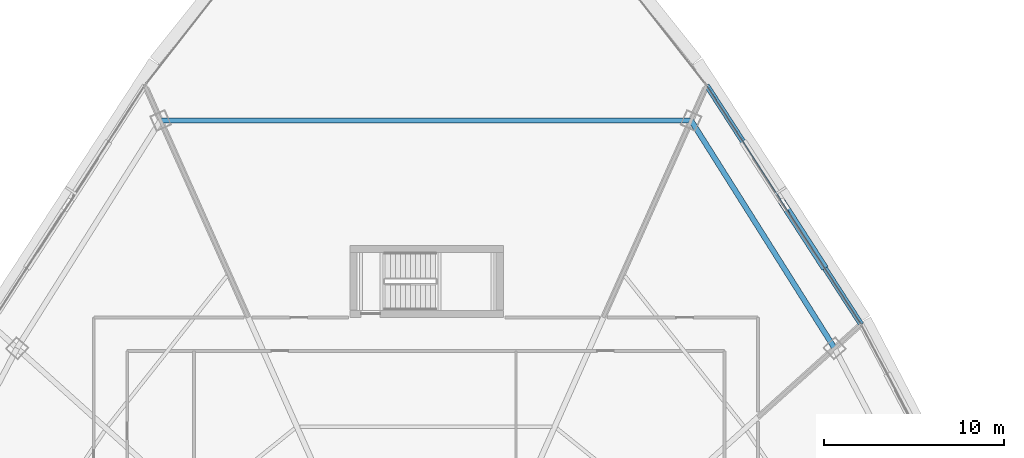
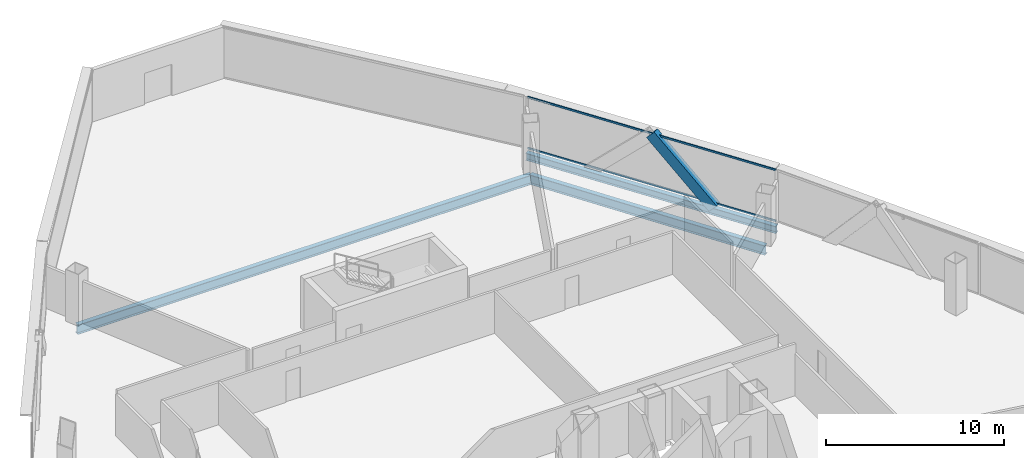
# One storey, part 21 of 37: 3 beams, 3 members, 1 element without a shape of its own.
"""IFC4 building model written with IfcOpenShell, lengths in metres."""

from ifc_helpers import new_model, si_unit, direction, frame, origin, origin_2d, place, context, subcontext, project, spatial, hollow_rectangle, i_section, extrude, source, transform, mapped, material, layer, layer_set, material_profile, profile_set, type_object, element, aggregate, save


model = new_model("IFC4")

# Units and contexts
model_context = context("Model", 3, precision=1e-05, world=origin(), true_north=direction((0.0, 1.0)))
body_context = subcontext(model_context, "Body", "Model", "MODEL_VIEW")
ifc_project = project(units=[si_unit("LENGTHUNIT", "METRE"), si_unit("AREAUNIT", "SQUARE_METRE"), si_unit("VOLUMEUNIT", "CUBIC_METRE"), si_unit("PLANEANGLEUNIT", "RADIAN"), si_unit("MASSUNIT", "GRAM", prefix="KILO"), si_unit("THERMODYNAMICTEMPERATUREUNIT", "KELVIN"), si_unit("POWERUNIT", "WATT")], contexts=[model_context])

# Site, building, storey
site_placement = place(None, origin())
site = spatial("IfcSite", under=ifc_project, at=site_placement, CompositionType="ELEMENT")
building_placement = place(site_placement, origin())
building = spatial("IfcBuilding", under=site, at=building_placement, Name="Yunzhuo Pagoda Commons", CompositionType="ELEMENT")
storey_placement = place(building_placement, frame((0.0, 0.0, 196.159912109375)))
storey = spatial("IfcBuildingStorey", under=building, at=storey_placement, Name="L49", CompositionType="ELEMENT", Elevation=196.159912109375)

# Beams
ifc_material_1 = material(Name="Structural steel Q355B", Category="steel")
ifc_material_profile_1 = material_profile(ifc_material_1, i_section(OverallWidth=0.300048828125, OverallDepth=0.64990234375, WebThickness=0.012939453125, FlangeThickness=0.02197265625, at=origin_2d()), Name="Structural steel Q355B")
ifc_profile_set_1 = profile_set([ifc_material_profile_1], Name="Structural steel Q355B")
beam_type_1 = type_object("IfcBeamType", Name="B-RG2 Beam HN 650x300x13x22", PredefinedType="BEAM", material=ifc_profile_set_1)
shared_shape_1 = source(origin(), body_context, "Body", "SweptSolid", [
    extrude(i_section(OverallWidth=0.300048828125, OverallDepth=0.64990234375, WebThickness=0.012939453125, FlangeThickness=0.02197265625, at=origin_2d()), origin(), (0.0, 0.0, 1.0), 14.916015625),
])
beam_1_placement = place(storey_placement, frame((70.650634765625, 54.0947265625, -0.5849609375), z_axis=(-0.533092374013, 0.846057043449, 0.0), x_axis=(-0.846057043449, -0.533092374013, 0.0)))
element("IfcBeam", 1, at=beam_1_placement, inside=storey, type_object=beam_type_1, Name="L49 column-ring beam 7", PredefinedType="BEAM", context=body_context, shape_type="MappedRepresentation", body=[
    mapped(shared_shape_1, transform((0.0, 0.0, 0.0), scale=1.0)),
])
shared_shape_2 = source(origin(), body_context, "Body", "SweptSolid", [
    extrude(i_section(OverallWidth=0.300048828125, OverallDepth=0.64990234375, WebThickness=0.012939453125, FlangeThickness=0.02197265625, at=origin_2d()), origin(), (0.0, 0.0, 1.0), 29.39794921875),
])
beam_2_placement = place(storey_placement, frame((62.698974609375, 66.714599609375, -0.5849609375), z_axis=(-1.0, 0.0, 0.0), x_axis=(0.0, -1.0, 0.0)))
element("IfcBeam", 2, at=beam_2_placement, inside=storey, type_object=beam_type_1, Name="L49 column-ring beam 8", PredefinedType="BEAM", context=body_context, shape_type="MappedRepresentation", body=[
    mapped(shared_shape_2, transform((0.0, 0.0, 0.0), scale=1.0)),
])
ifc_material_profile_2 = material_profile(ifc_material_1, i_section(OverallWidth=0.300048828125, OverallDepth=0.488037109375, WebThickness=0.010986328125, FlangeThickness=0.01806640625, at=origin_2d()), Name="Structural steel Q355B")
ifc_profile_set_2 = profile_set([ifc_material_profile_2], Name="Structural steel Q355B")
beam_type_2 = type_object("IfcBeamType", Name="B-SP1 Beam HM 488x300x11x18", PredefinedType="BEAM", material=ifc_profile_set_2)
shared_shape_3 = source(origin(), body_context, "Body", "SweptSolid", [
    extrude(i_section(OverallWidth=0.300048828125, OverallDepth=0.488037109375, WebThickness=0.010986328125, FlangeThickness=0.01806640625, at=origin_2d()), origin(), (0.0, 0.0, 1.0), 15.764892578125),
])
beam_3_placement = place(storey_placement, frame((72.124267578125, 55.421630859375, -0.50390625), z_axis=(-0.54290513086, 0.83979403361, 0.0), x_axis=(-0.83979403361, -0.54290513086, 0.0)))
element("IfcBeam", 3, at=beam_3_placement, inside=storey, type_object=beam_type_2, Name="L49 facade edge spandrel beam F2.3", PredefinedType="BEAM", context=body_context, shape_type="MappedRepresentation", body=[
    mapped(shared_shape_3, transform((0.0, 0.0, 0.0), scale=1.0)),
])

# Member
ifc_material_profile_3 = material_profile(ifc_material_1, hollow_rectangle(XDim=0.39990234375, YDim=0.719970703125, WallThickness=0.02392578125, at=origin_2d()), Name="Structural steel Q355B")
ifc_profile_set_3 = profile_set([ifc_material_profile_3], Name="Structural steel Q355B")
member_type_1 = type_object("IfcMemberType", Name="M-DL2 Brace BOX 720x400x24", PredefinedType="BRACE", material=ifc_profile_set_3)
shared_shape_4 = source(origin(), body_context, "Body", "SweptSolid", [
    extrude(hollow_rectangle(XDim=0.39990234375, YDim=0.719970703125, WallThickness=0.02392578125, at=origin_2d()), origin(), (0.0, 0.0, 1.0), 5.474853515625),
])
member_1_placement = place(storey_placement, frame((69.984619140625, 58.7314453125, -0.260009765625), z_axis=(-0.390818275062, 0.604555380535, 0.694099321239), x_axis=(-0.839801094268, -0.542894208908, 0.0)))
element("IfcMember", 4, at=member_1_placement, inside=storey, type_object=member_type_1, Name="L49 facade diamond brace F2.3L", PredefinedType="BRACE", context=body_context, shape_type="MappedRepresentation", body=[
    mapped(shared_shape_4, transform((0.0, 0.0, 0.0), scale=1.0)),
])

# Curtain wall, members
ifc_material_2 = material(Name="Anodized aluminium 6063-T6", Category="aluminium")
ifc_layer = layer(ifc_material_2, 0.14990234375)
ifc_layer_set = layer_set([ifc_layer], Name="Anodized aluminium 6063-T6")
curtain_wall_type = type_object("IfcCurtainWallType", Name="CW-MID Mid-Zone Ribbon Curtain Wall", PredefinedType="NOTDEFINED", material=ifc_layer_set)
curtain_wall_placement = place(storey_placement, origin())
curtain_wall = element("IfcCurtainWall", 5, at=curtain_wall_placement, inside=storey, type_object=curtain_wall_type, Name="L49 curtain wall CW-L49-F2B4", PredefinedType="NOTDEFINED")
ifc_material_profile_4 = material_profile(ifc_material_2, hollow_rectangle(XDim=0.054931640625, YDim=0.1298828125, WallThickness=0.00341796875, at=origin_2d()), Name="Anodized aluminium 6063-T6")
ifc_profile_set_4 = profile_set([ifc_material_profile_4], Name="Anodized aluminium 6063-T6")
member_type_2 = type_object("IfcMemberType", Name="CW-MID-T Transom RHS 130x55x3.5", PredefinedType="USERDEFINED", material=ifc_profile_set_4)
shared_shape_5 = source(origin(), body_context, "Body", "SweptSolid", [
    extrude(hollow_rectangle(XDim=0.054931640625, YDim=0.1298828125, WallThickness=0.00341796875, at=origin_2d()), origin(), (0.0, 0.0, 1.0), 15.644775390625),
])
member_2_placement = place(storey_placement, frame((72.091796875, 55.471923828125, 0.027587890625), z_axis=(-0.542894057097, 0.839801192407, 0.0), x_axis=(-0.839801192407, -0.542894057097, 0.0)))
member_2 = element("IfcMember", 6, at=member_2_placement, type_object=member_type_2, Name="CW transom 1.1", ObjectType="TRANSOM", PredefinedType="USERDEFINED", context=body_context, shape_type="MappedRepresentation", body=[
    mapped(shared_shape_5, transform((0.0, 0.0, 0.0), scale=1.0)),
])
member_3_placement = place(storey_placement, frame((72.091796875, 55.471923828125, 3.5126953125), z_axis=(-0.542894057097, 0.839801192407, 0.0), x_axis=(-0.839801192407, -0.542894057097, 0.0)))
member_3 = element("IfcMember", 7, at=member_3_placement, type_object=member_type_2, Name="CW transom 1.2", ObjectType="TRANSOM", PredefinedType="USERDEFINED", context=body_context, shape_type="MappedRepresentation", body=[
    mapped(shared_shape_5, transform((0.0, 0.0, 0.0), scale=1.0)),
])
aggregate(curtain_wall, [member_2, member_3])

save(model, "model.ifc")
